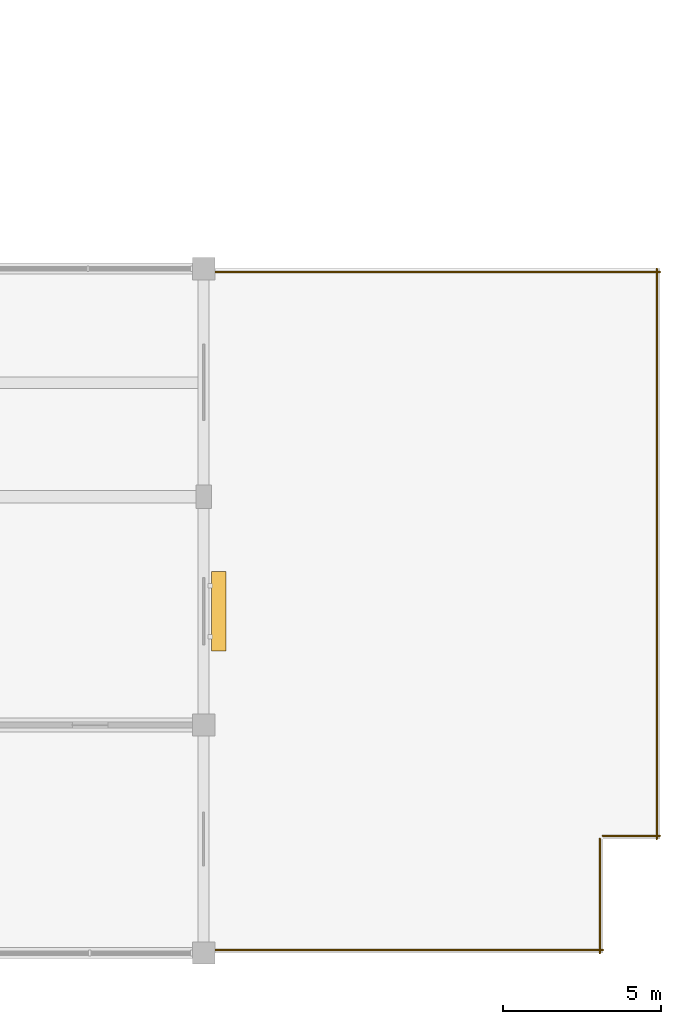
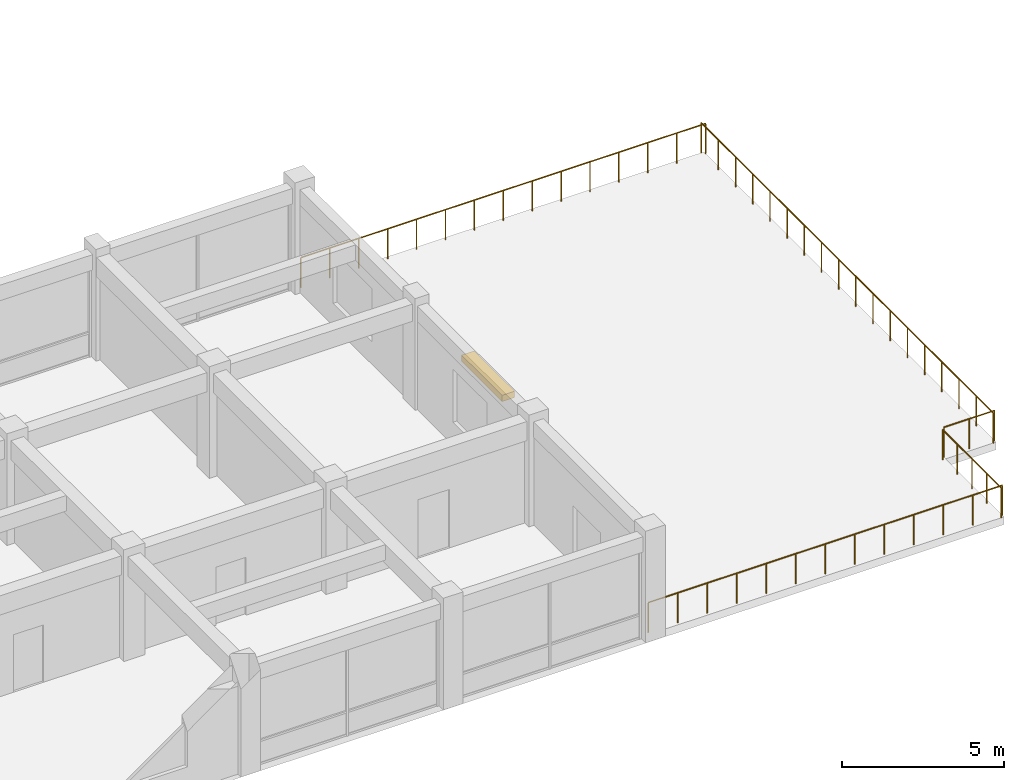
# One storey, part 31 of 31: 5 railings, 1 shading device.
"""IFC4 building model written with IfcOpenShell, lengths in metres."""

from ifc_helpers import new_model, si_unit, direction, frame, origin, origin_2d, place, context, subcontext, project, spatial, rectangle, circle, extrude, material, type_object, element, save


model = new_model("IFC4")

# Units and contexts
model_context = context("Model", 3, precision=1e-05, world=origin(), true_north=direction((0.0, 1.0)))
body_context = subcontext(model_context, "Body", "Model", "MODEL_VIEW")
ifc_project = project(units=[si_unit("LENGTHUNIT", "METRE"), si_unit("AREAUNIT", "SQUARE_METRE"), si_unit("VOLUMEUNIT", "CUBIC_METRE"), si_unit("PLANEANGLEUNIT", "RADIAN"), si_unit("MASSUNIT", "GRAM", prefix="KILO")], contexts=[model_context])

# Site, building, storey
site_placement = place(None, origin())
site = spatial("IfcSite", under=ifc_project, at=site_placement, CompositionType="ELEMENT")
building_placement = place(site_placement, origin())
building = spatial("IfcBuilding", under=site, at=building_placement, Name="Cendaluz Park School", CompositionType="ELEMENT")
storey_placement = place(building_placement, frame((0.0, 0.0, 14.39990234375)))
storey = spatial("IfcBuildingStorey", under=building, at=storey_placement, Name="L03", CompositionType="ELEMENT", Elevation=14.39990234375)

# Railings
ifc_material_1 = material(Name="Wrought Iron")
railing_type = type_object("IfcRailingType", Name="GR-PD01", PredefinedType="BALUSTRADE", material=ifc_material_1)
railing_1_placement = place(storey_placement, frame((158.39990234375, 28.699951171875, 0.0)))
element("IfcRailing", 1, at=railing_1_placement, inside=storey, type_object=railing_type, Name="GR-PD-L03-006", PredefinedType="BALUSTRADE", context=body_context, shape_type="SweptSolid", body=[
    extrude(circle(Radius=0.02392578125, at=origin_2d()), frame((0.0, 0.0, 1.1259765625), z_axis=(1.0, 0.0, 0.0), x_axis=(0.0, 1.0, 0.0)), (0.0, 0.0, 1.0), 14.400146484375),
    extrude(circle(Radius=0.02099609375, at=origin_2d()), origin(), (0.0, 0.0, 1.0), 1.101806640625),
    extrude(circle(Radius=0.02099609375, at=origin_2d()), frame((1.028564453125, 0.0, 0.0)), (0.0, 0.0, 1.0), 1.101806640625),
    extrude(circle(Radius=0.02099609375, at=origin_2d()), frame((2.05712890625, 0.0, 0.0)), (0.0, 0.0, 1.0), 1.101806640625),
    extrude(circle(Radius=0.02099609375, at=origin_2d()), frame((3.085693359375, 0.0, 0.0)), (0.0, 0.0, 1.0), 1.101806640625),
    extrude(circle(Radius=0.02099609375, at=origin_2d()), frame((4.1142578125, 0.0, 0.0)), (0.0, 0.0, 1.0), 1.101806640625),
    extrude(circle(Radius=0.02099609375, at=origin_2d()), frame((5.142822265625, 0.0, 0.0)), (0.0, 0.0, 1.0), 1.101806640625),
    extrude(circle(Radius=0.02099609375, at=origin_2d()), frame((6.17138671875, 0.0, 0.0)), (0.0, 0.0, 1.0), 1.101806640625),
    extrude(circle(Radius=0.02099609375, at=origin_2d()), frame((7.2001953125, 0.0, 0.0)), (0.0, 0.0, 1.0), 1.101806640625),
    extrude(circle(Radius=0.02099609375, at=origin_2d()), frame((8.228759765625, 0.0, 0.0)), (0.0, 0.0, 1.0), 1.101806640625),
    extrude(circle(Radius=0.02099609375, at=origin_2d()), frame((9.25732421875, 0.0, 0.0)), (0.0, 0.0, 1.0), 1.101806640625),
    extrude(circle(Radius=0.02099609375, at=origin_2d()), frame((10.285888671875, 0.0, 0.0)), (0.0, 0.0, 1.0), 1.101806640625),
    extrude(circle(Radius=0.02099609375, at=origin_2d()), frame((11.314453125, 0.0, 0.0)), (0.0, 0.0, 1.0), 1.101806640625),
    extrude(circle(Radius=0.02099609375, at=origin_2d()), frame((12.343017578125, 0.0, 0.0)), (0.0, 0.0, 1.0), 1.101806640625),
    extrude(circle(Radius=0.02099609375, at=origin_2d()), frame((13.37158203125, 0.0, 0.0)), (0.0, 0.0, 1.0), 1.101806640625),
    extrude(circle(Radius=0.02099609375, at=origin_2d()), frame((14.400146484375, 0.0, 0.0)), (0.0, 0.0, 1.0), 1.101806640625),
])
railing_2_placement = place(storey_placement, frame((172.699951171875, 28.800048828125, 0.0)))
element("IfcRailing", 2, at=railing_2_placement, inside=storey, type_object=railing_type, Name="GR-PD-L03-007", PredefinedType="BALUSTRADE", context=body_context, shape_type="SweptSolid", body=[
    extrude(circle(Radius=0.02392578125, at=origin_2d()), frame((0.0, 0.0, 1.1259765625), z_axis=(0.0, -1.0, 0.0), x_axis=(1.0, 0.0, 0.0)), (0.0, 0.0, 1.0), 18.0),
    extrude(circle(Radius=0.02099609375, at=origin_2d()), origin(), (0.0, 0.0, 1.0), 1.101806640625),
    extrude(circle(Radius=0.02099609375, at=origin_2d()), frame((0.0, -1.058837890625, 0.0)), (0.0, 0.0, 1.0), 1.101806640625),
    extrude(circle(Radius=0.02099609375, at=origin_2d()), frame((0.0, -2.11767578125, 0.0)), (0.0, 0.0, 1.0), 1.101806640625),
    extrude(circle(Radius=0.02099609375, at=origin_2d()), frame((0.0, -3.176513671875, 0.0)), (0.0, 0.0, 1.0), 1.101806640625),
    extrude(circle(Radius=0.02099609375, at=origin_2d()), frame((0.0, -4.2353515625, 0.0)), (0.0, 0.0, 1.0), 1.101806640625),
    extrude(circle(Radius=0.02099609375, at=origin_2d()), frame((0.0, -5.294189453125, 0.0)), (0.0, 0.0, 1.0), 1.101806640625),
    extrude(circle(Radius=0.02099609375, at=origin_2d()), frame((0.0, -6.35302734375, 0.0)), (0.0, 0.0, 1.0), 1.101806640625),
    extrude(circle(Radius=0.02099609375, at=origin_2d()), frame((0.0, -7.411865234375, 0.0)), (0.0, 0.0, 1.0), 1.101806640625),
    extrude(circle(Radius=0.02099609375, at=origin_2d()), frame((0.0, -8.470703125, 0.0)), (0.0, 0.0, 1.0), 1.101806640625),
    extrude(circle(Radius=0.02099609375, at=origin_2d()), frame((0.0, -9.529296875, 0.0)), (0.0, 0.0, 1.0), 1.101806640625),
    extrude(circle(Radius=0.02099609375, at=origin_2d()), frame((0.0, -10.588134765625, 0.0)), (0.0, 0.0, 1.0), 1.101806640625),
    extrude(circle(Radius=0.02099609375, at=origin_2d()), frame((0.0, -11.64697265625, 0.0)), (0.0, 0.0, 1.0), 1.101806640625),
    extrude(circle(Radius=0.02099609375, at=origin_2d()), frame((0.0, -12.705810546875, 0.0)), (0.0, 0.0, 1.0), 1.101806640625),
    extrude(circle(Radius=0.02099609375, at=origin_2d()), frame((0.0, -13.7646484375, 0.0)), (0.0, 0.0, 1.0), 1.101806640625),
    extrude(circle(Radius=0.02099609375, at=origin_2d()), frame((0.0, -14.823486328125, 0.0)), (0.0, 0.0, 1.0), 1.101806640625),
    extrude(circle(Radius=0.02099609375, at=origin_2d()), frame((0.0, -15.88232421875, 0.0)), (0.0, 0.0, 1.0), 1.101806640625),
    extrude(circle(Radius=0.02099609375, at=origin_2d()), frame((0.0, -16.941162109375, 0.0)), (0.0, 0.0, 1.0), 1.101806640625),
    extrude(circle(Radius=0.02099609375, at=origin_2d()), frame((0.0, -18.0, 0.0)), (0.0, 0.0, 1.0), 1.101806640625),
])
railing_3_placement = place(storey_placement, frame((172.800048828125, 10.89990234375, 0.0)))
element("IfcRailing", 3, at=railing_3_placement, inside=storey, type_object=railing_type, Name="GR-PD-L03-008", PredefinedType="BALUSTRADE", context=body_context, shape_type="SweptSolid", body=[
    extrude(circle(Radius=0.02392578125, at=origin_2d()), frame((0.0, 0.0, 1.1259765625), z_axis=(-1.0, 0.0, 0.0), x_axis=(0.0, -1.0, 0.0)), (0.0, 0.0, 1.0), 1.800048828125),
    extrude(circle(Radius=0.02099609375, at=origin_2d()), origin(), (0.0, 0.0, 1.0), 1.101806640625),
    extrude(circle(Radius=0.02099609375, at=origin_2d()), frame((-0.89990234375, 0.0, 0.0)), (0.0, 0.0, 1.0), 1.101806640625),
    extrude(circle(Radius=0.02099609375, at=origin_2d()), frame((-1.800048828125, 0.0, 0.0)), (0.0, 0.0, 1.0), 1.101806640625),
])
railing_4_placement = place(storey_placement, frame((170.89990234375, 10.800048828125, 0.0)))
element("IfcRailing", 4, at=railing_4_placement, inside=storey, type_object=railing_type, Name="GR-PD-L03-009", PredefinedType="BALUSTRADE", context=body_context, shape_type="SweptSolid", body=[
    extrude(circle(Radius=0.02392578125, at=origin_2d()), frame((0.0, 0.0, 1.1259765625), z_axis=(0.0, -1.0, 0.0), x_axis=(1.0, 0.0, 0.0)), (0.0, 0.0, 1.0), 3.60009765625),
    extrude(circle(Radius=0.02099609375, at=origin_2d()), origin(), (0.0, 0.0, 1.0), 1.101806640625),
    extrude(circle(Radius=0.02099609375, at=origin_2d()), frame((0.0, -0.89990234375, 0.0)), (0.0, 0.0, 1.0), 1.101806640625),
    extrude(circle(Radius=0.02099609375, at=origin_2d()), frame((0.0, -1.800048828125, 0.0)), (0.0, 0.0, 1.0), 1.101806640625),
    extrude(circle(Radius=0.02099609375, at=origin_2d()), frame((0.0, -2.7001953125, 0.0)), (0.0, 0.0, 1.0), 1.101806640625),
    extrude(circle(Radius=0.02099609375, at=origin_2d()), frame((0.0, -3.60009765625, 0.0)), (0.0, 0.0, 1.0), 1.101806640625),
])
railing_5_placement = place(storey_placement, frame((171.0, 7.300048828125, 0.0)))
element("IfcRailing", 5, at=railing_5_placement, inside=storey, type_object=railing_type, Name="GR-PD-L03-010", PredefinedType="BALUSTRADE", context=body_context, shape_type="SweptSolid", body=[
    extrude(circle(Radius=0.02392578125, at=origin_2d()), frame((0.0, 0.0, 1.1259765625), z_axis=(-1.0, 0.0, 0.0), x_axis=(0.0, -1.0, 0.0)), (0.0, 0.0, 1.0), 12.60009765625),
    extrude(circle(Radius=0.02099609375, at=origin_2d()), origin(), (0.0, 0.0, 1.0), 1.101806640625),
    extrude(circle(Radius=0.02099609375, at=origin_2d()), frame((-1.050048828125, 0.0, 0.0)), (0.0, 0.0, 1.0), 1.101806640625),
    extrude(circle(Radius=0.02099609375, at=origin_2d()), frame((-2.10009765625, 0.0, 0.0)), (0.0, 0.0, 1.0), 1.101806640625),
    extrude(circle(Radius=0.02099609375, at=origin_2d()), frame((-3.14990234375, 0.0, 0.0)), (0.0, 0.0, 1.0), 1.101806640625),
    extrude(circle(Radius=0.02099609375, at=origin_2d()), frame((-4.199951171875, 0.0, 0.0)), (0.0, 0.0, 1.0), 1.101806640625),
    extrude(circle(Radius=0.02099609375, at=origin_2d()), frame((-5.25, 0.0, 0.0)), (0.0, 0.0, 1.0), 1.101806640625),
    extrude(circle(Radius=0.02099609375, at=origin_2d()), frame((-6.300048828125, 0.0, 0.0)), (0.0, 0.0, 1.0), 1.101806640625),
    extrude(circle(Radius=0.02099609375, at=origin_2d()), frame((-7.35009765625, 0.0, 0.0)), (0.0, 0.0, 1.0), 1.101806640625),
    extrude(circle(Radius=0.02099609375, at=origin_2d()), frame((-8.400146484375, 0.0, 0.0)), (0.0, 0.0, 1.0), 1.101806640625),
    extrude(circle(Radius=0.02099609375, at=origin_2d()), frame((-9.4501953125, 0.0, 0.0)), (0.0, 0.0, 1.0), 1.101806640625),
    extrude(circle(Radius=0.02099609375, at=origin_2d()), frame((-10.5, 0.0, 0.0)), (0.0, 0.0, 1.0), 1.101806640625),
    extrude(circle(Radius=0.02099609375, at=origin_2d()), frame((-11.550048828125, 0.0, 0.0)), (0.0, 0.0, 1.0), 1.101806640625),
    extrude(circle(Radius=0.02099609375, at=origin_2d()), frame((-12.60009765625, 0.0, 0.0)), (0.0, 0.0, 1.0), 1.101806640625),
])

# Shading device
ifc_material_2 = material(Name="Architectural Bronze")
shading_device_type = type_object("IfcShadingDeviceType", Name="SD-02", PredefinedType="SHUTTER", material=ifc_material_2)
shading_device_placement = place(storey_placement, frame((158.875, 17.987548828125, 2.8701171875), z_axis=(0.0, 0.0, 1.0), x_axis=(0.0, 1.0, 0.0)))
element("IfcShadingDevice", 6, at=shading_device_placement, inside=storey, type_object=shading_device_type, Name="SD-L03-060", PredefinedType="SHUTTER", context=body_context, shape_type="SweptSolid", body=[
    extrude(rectangle(XDim=2.5, YDim=0.449951171875, at=origin_2d()), origin(), (0.0, 0.0, 1.0), 0.239990234375),
])

save(model, "model.ifc")
